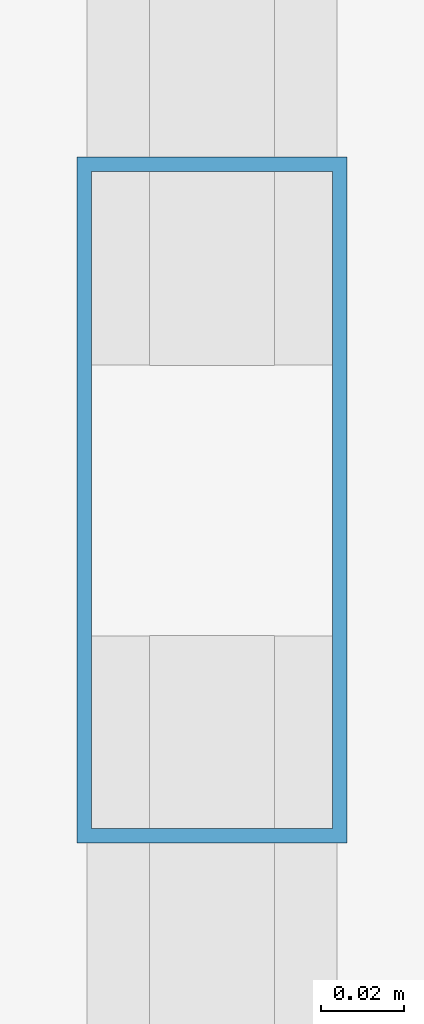
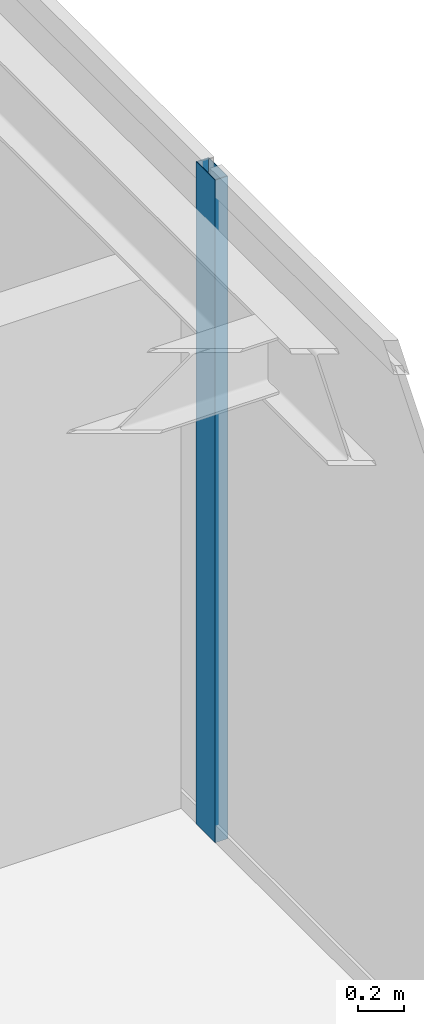
# One storey, part 17 of 29: 1 member, 1 element without a shape of its own.
"""IFC4 building model written with IfcOpenShell, lengths in metres."""

from ifc_helpers import new_model, si_unit, direction, frame, origin, origin_2d, place, context, subcontext, project, spatial, hollow_rectangle, extrude, source, transform, mapped, material, layer, layer_set, material_profile, profile_set, type_object, type_shapes, element, aggregate, save


model = new_model("IFC4")

# Units and contexts
model_context = context("Model", 3, precision=1e-05, world=origin(), true_north=direction((0.0, 1.0)))
body_context = subcontext(model_context, "Body", "Model", "MODEL_VIEW")
ifc_project = project(units=[si_unit("LENGTHUNIT", "METRE"), si_unit("AREAUNIT", "SQUARE_METRE"), si_unit("VOLUMEUNIT", "CUBIC_METRE"), si_unit("PLANEANGLEUNIT", "RADIAN"), si_unit("MASSUNIT", "GRAM", prefix="KILO")], contexts=[model_context])

# Site, building, storey
site_placement = place(None, origin())
site = spatial("IfcSite", under=ifc_project, at=site_placement, CompositionType="ELEMENT")
building_placement = place(site_placement, origin())
building = spatial("IfcBuilding", under=site, at=building_placement, Name="Varnel Quay Broadcast Tower", CompositionType="ELEMENT")
storey_placement = place(building_placement, frame((0.0, 0.0, 187.60009765625)))
storey = spatial("IfcBuildingStorey", under=building, at=storey_placement, Name="L46", CompositionType="ELEMENT", Elevation=187.60009765625)

# Curtain wall, member
ifc_material = material(Name="Anodised Bronze Aluminium 6063-T6", Category="aluminium")
ifc_layer = layer(ifc_material, 0.18994140625, Name="Anodised Bronze Aluminium 6063-T6")
ifc_layer_set = layer_set([ifc_layer], Name="Anodised Bronze Aluminium 6063-T6")
curtain_wall_type = type_object("IfcCurtainWallType", Name="CW_UpperTower", PredefinedType="NOTDEFINED", material=ifc_layer_set)
curtain_wall_placement = place(storey_placement, origin())
curtain_wall = element("IfcCurtainWall", 1, at=curtain_wall_placement, inside=storey, type_object=curtain_wall_type, Name="L46 East Unitised Curtain Wall", PredefinedType="NOTDEFINED")
ifc_material_profile = material_profile(ifc_material, hollow_rectangle(XDim=0.06494140625, YDim=0.1650390625, WallThickness=0.00341796875, at=origin_2d()), Name="ALU65X165X3.5")
ifc_profile_set = profile_set([ifc_material_profile], Name="Anodised Bronze Aluminium 6063-T6")
member_type = type_object("IfcMemberType", Name="Mull_CWS-03", PredefinedType="MULLION", material=ifc_profile_set)
shared_shape = source(origin(), body_context, "Body", "SweptSolid", [
    extrude(hollow_rectangle(XDim=0.06494140625, YDim=0.1650390625, WallThickness=0.00341796875, at=origin_2d()), origin(), (0.0, 0.0, 1.0), 3.52001953125),
])
type_shapes(member_type, [shared_shape])
member_placement = place(storey_placement, frame((60.85009765625, 21.60009765625, 0.0), z_axis=(0.0, 0.0, 1.0), x_axis=(-1.0, 0.0, 0.0)))
member = element("IfcMember", 2, at=member_placement, type_object=member_type, Name="CWS-03 mullion 2", PredefinedType="MULLION", context=body_context, shape_type="MappedRepresentation", body=[
    mapped(shared_shape, transform((0.0, 0.0, 0.0), x_axis=(1.0, 0.0, 0.0), y_axis=(0.0, 1.0, 0.0), z_axis=(0.0, 0.0, 1.0), scale=1.0)),
])
aggregate(curtain_wall, [member])

save(model, "model.ifc")
